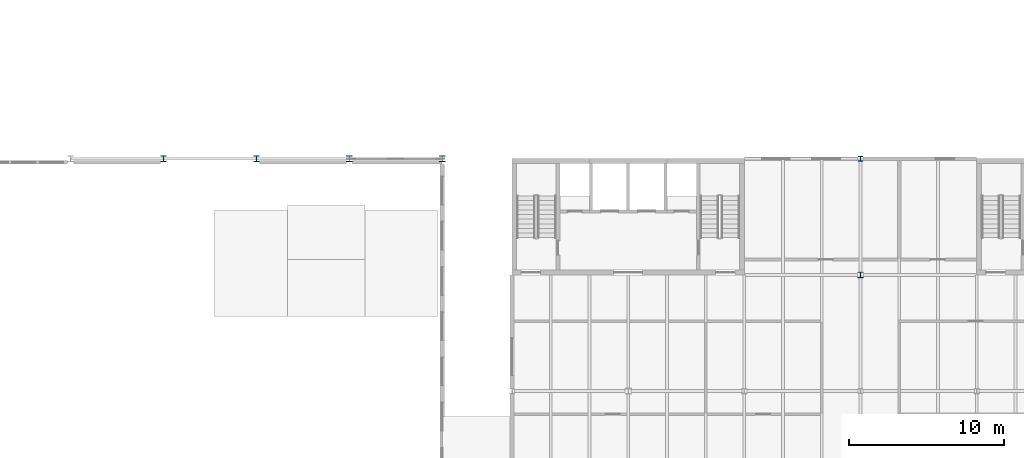
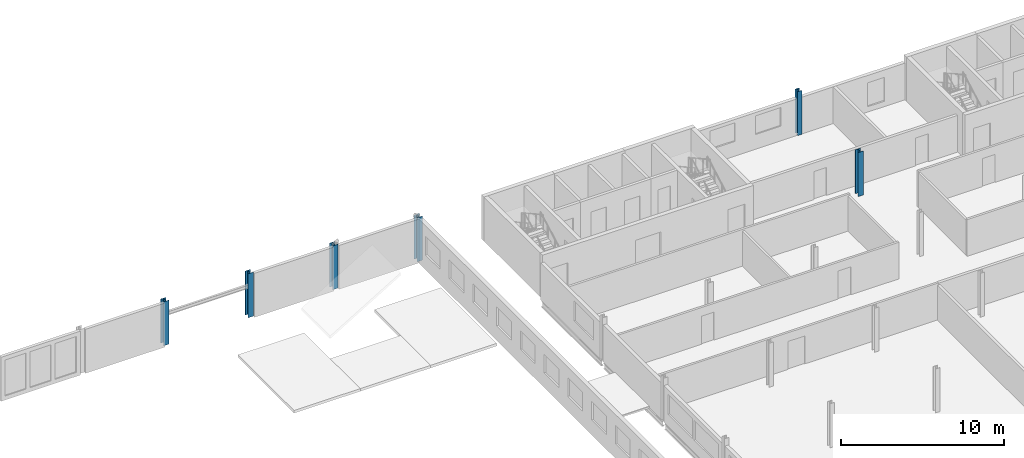
# One storey, part 8 of 198: 6 columns.
"""IFC4 building model written with IfcOpenShell, lengths in metres."""

from ifc_helpers import new_model, si_unit, direction, frame, origin, origin_2d, place, context, subcontext, project, spatial, i_section, extrude, material, material_profile, profile_set, type_object, element, save


model = new_model("IFC4")

# Units and contexts
model_context = context("Model", 3, precision=1e-05, world=origin(), true_north=direction((0.0, 1.0)))
body_context = subcontext(model_context, "Body", "Model", "MODEL_VIEW")
ifc_project = project(units=[si_unit("LENGTHUNIT", "METRE"), si_unit("AREAUNIT", "SQUARE_METRE"), si_unit("VOLUMEUNIT", "CUBIC_METRE"), si_unit("PLANEANGLEUNIT", "RADIAN"), si_unit("MASSUNIT", "GRAM", prefix="KILO")], contexts=[model_context])

# Site, building, storey
site_placement = place(None, origin())
site = spatial("IfcSite", under=ifc_project, at=site_placement, CompositionType="ELEMENT")
building_placement = place(site_placement, origin())
building = spatial("IfcBuilding", under=site, at=building_placement, Name="Parallax Yard Mobility Hub", CompositionType="ELEMENT")
storey_placement = place(building_placement, frame((0.0, 0.0, 6.60009765625)))
storey = spatial("IfcBuildingStorey", under=building, at=storey_placement, Name="L02", CompositionType="ELEMENT", Elevation=6.60009765625)

# Columns
ifc_material = material(Name="Steel ASTM A992", Category="steel")
ifc_material_profile_1 = material_profile(ifc_material, i_section(OverallWidth=0.31005859375, OverallDepth=0.327880859375, WebThickness=0.015380859375, FlangeThickness=0.025146484375, FilletRadius=0.015380859375, at=origin_2d()), Name="W310x158")
ifc_profile_set_1 = profile_set([ifc_material_profile_1], Name="Steel ASTM A992")
column_type_1 = type_object("IfcColumnType", Name="W310x158 column", PredefinedType="COLUMN", material=ifc_profile_set_1)
column_placement = place(storey_placement, frame((120.0, 52.5, 0.0), z_axis=(0.0, 0.0, 1.0), x_axis=(1.0, 0.0, 0.0)))
element("IfcColumn", 1, at=column_placement, inside=storey, type_object=column_type_1, Name="Column C6 level L02 at H/17 of mobility service centre and workshops", PredefinedType="COLUMN", context=body_context, shape_type="SweptSolid", body=[
    extrude(i_section(OverallWidth=0.31005859375, OverallDepth=0.327880859375, WebThickness=0.015380859375, FlangeThickness=0.025146484375, FilletRadius=0.015380859375, at=origin_2d()), origin(), (0.0, 0.0, 1.0), 3.2998046875),
])
ifc_material_profile_2 = material_profile(ifc_material, i_section(OverallWidth=0.373046875, OverallDepth=0.367919921875, WebThickness=0.014892578125, FlangeThickness=0.02392578125, FilletRadius=0.01513671875, at=origin_2d()), Name="W360x179")
ifc_profile_set_2 = profile_set([ifc_material_profile_2], Name="Steel ASTM A992")
column_type_2 = type_object("IfcColumnType", Name="W360x179 column", PredefinedType="COLUMN", material=ifc_profile_set_2)
for number, where, z_axis, x_axis, name in (
    (2, (75.0, 52.5, 0.0), (0.0, 0.0, 1.0), (1.0, 0.0, 0.0), "Column C7 level L02 at F12/H of bus and taxi deck"),
    (3, (81.0, 52.5, 0.0), (0.0, 0.0, 1.0), (1.0, 0.0, 0.0), "Column C7 level L02 at F13/H of bus and taxi deck"),
    (4, (87.0, 52.5, 0.0), (0.0, 0.0, 1.0), (1.0, 0.0, 0.0), "Column C7 level L02 at F14/H of bus and taxi deck"),
    (5, (93.0, 52.5, 0.0), (0.0, 0.0, 1.0), (1.0, 0.0, 0.0), "Column C7 level L02 at F15/H of bus and taxi deck"),
    (6, (120.0, 45.0, 0.0), (0.0, 0.0, 1.0), (1.0, 0.0, 0.0), "Column C7 level L02 at G/17 of mobility service centre and workshops"),
):
    element("IfcColumn", number, at=place(storey_placement, frame(where, z_axis=z_axis, x_axis=x_axis)), inside=storey, type_object=column_type_2, Name=name, PredefinedType="COLUMN", context=body_context, shape_type="SweptSolid", body=[
        extrude(i_section(OverallWidth=0.373046875, OverallDepth=0.367919921875, WebThickness=0.014892578125, FlangeThickness=0.02392578125, FilletRadius=0.01513671875, at=origin_2d()), origin(), (0.0, 0.0, 1.0), 3.2998046875),
    ])

save(model, "model.ifc")
